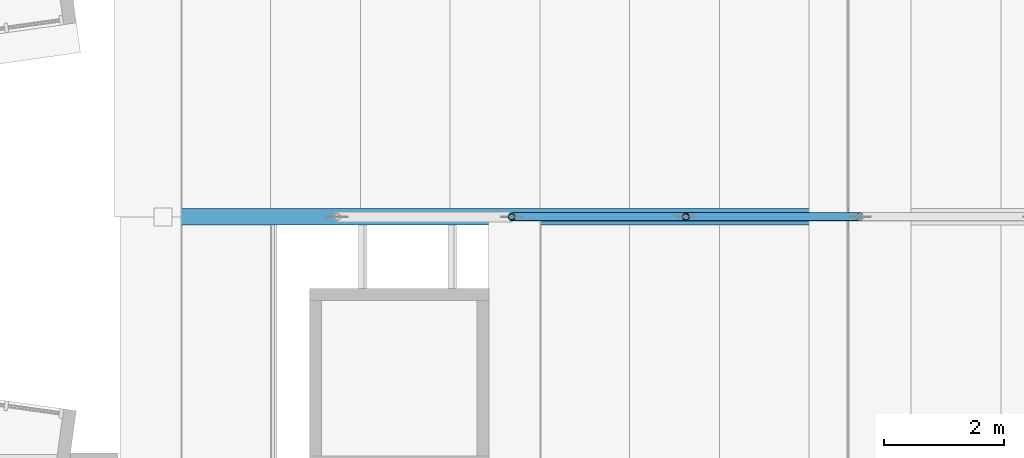
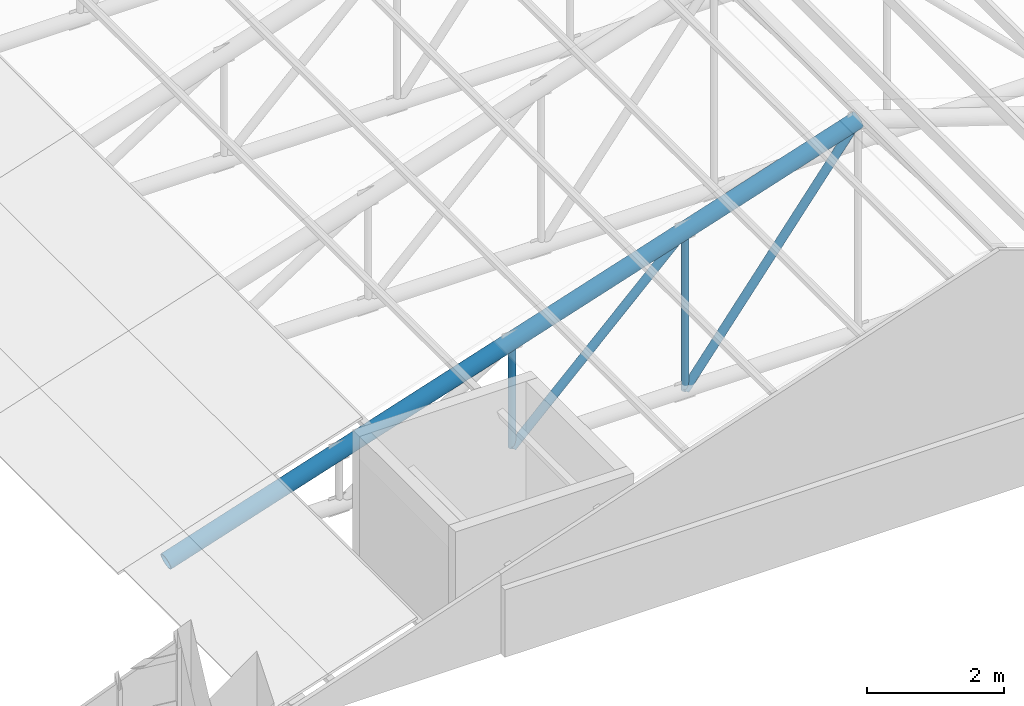
# One storey, part 8 of 95: 5 members.
"""IFC4 building model written with IfcOpenShell, lengths in metres."""

from ifc_helpers import new_model, si_unit, direction, frame, origin, origin_2d, place, context, subcontext, project, spatial, hollow_circle, extrude, material, material_profile, profile_set, type_object, element, save


model = new_model("IFC4")

# Units and contexts
model_context = context("Model", 3, precision=1e-05, world=origin(), true_north=direction((0.0, 1.0)))
body_context = subcontext(model_context, "Body", "Model", "MODEL_VIEW")
ifc_project = project(units=[si_unit("LENGTHUNIT", "METRE"), si_unit("AREAUNIT", "SQUARE_METRE"), si_unit("VOLUMEUNIT", "CUBIC_METRE"), si_unit("PLANEANGLEUNIT", "RADIAN"), si_unit("MASSUNIT", "GRAM", prefix="KILO")], contexts=[model_context])

# Site, building, storey
site_placement = place(None, origin())
site = spatial("IfcSite", under=ifc_project, at=site_placement, CompositionType="ELEMENT")
building_placement = place(site_placement, origin())
building = spatial("IfcBuilding", under=site, at=building_placement, Name="Kiln Court Media Centre", CompositionType="ELEMENT")
storey_placement = place(building_placement, frame((0.0, 0.0, 24.60009765625)))
storey = spatial("IfcBuildingStorey", under=building, at=storey_placement, Name="L05", CompositionType="ELEMENT", Elevation=24.60009765625)

# Members
ifc_material_1 = material(Name="Steel ASTM A500 Gr C", Category="steel")
ifc_material_profile_1 = material_profile(ifc_material_1, hollow_circle(Radius=0.05712890625, WallThickness=0.0048828125, at=origin_2d()), Name="CHS 114.3x5.0")
ifc_profile_set_1 = profile_set([ifc_material_profile_1], Name="Steel ASTM A500 Gr C")
member_type_1 = type_object("IfcMemberType", Name="Steel ASTM A500 Gr C CHS 114.3x5.0 truss web", PredefinedType="BRACE", material=ifc_profile_set_1)
member_1_placement = place(storey_placement, frame((40.574951171875, 29.39990234375, -0.013916015625), z_axis=(0.0, 0.0, 1.0), x_axis=(1.0, 0.0, 0.0)))
element("IfcMember", 1, at=member_1_placement, inside=storey, type_object=member_type_1, Name="foyer truss FT-02 post 2 truss web", PredefinedType="BRACE", context=body_context, shape_type="SweptSolid", body=[
    extrude(hollow_circle(Radius=0.05712890625, WallThickness=0.0048828125, at=origin_2d()), origin(), (0.0, 0.0, 1.0), 1.892822265625),
])
member_2_placement = place(storey_placement, frame((43.487548828125, 29.39990234375, -0.013916015625), z_axis=(0.0, 0.0, 1.0), x_axis=(1.0, 0.0, 0.0)))
element("IfcMember", 2, at=member_2_placement, inside=storey, type_object=member_type_1, Name="foyer truss FT-02 post 3 truss web", PredefinedType="BRACE", context=body_context, shape_type="SweptSolid", body=[
    extrude(hollow_circle(Radius=0.05712890625, WallThickness=0.0048828125, at=origin_2d()), origin(), (0.0, 0.0, 1.0), 2.839111328125),
])
ifc_material_2 = material(Name="Steel ASTM A500 Gr C", Category="steel")
ifc_material_profile_2 = material_profile(ifc_material_2, hollow_circle(Radius=0.06982421875, WallThickness=0.0048828125, at=origin_2d()), Name="CHS 139.7x5.0")
ifc_profile_set_2 = profile_set([ifc_material_profile_2], Name="Steel ASTM A500 Gr C")
member_type_2 = type_object("IfcMemberType", Name="Steel ASTM A500 Gr C CHS 139.7x5.0 truss web", PredefinedType="BRACE", material=ifc_profile_set_2)
member_3_placement = place(storey_placement, frame((40.574951171875, 29.39990234375, -0.013916015625), z_axis=(0.716082640751, 0.0, 0.69801550958), x_axis=(0.0, 1.0, 0.0)))
element("IfcMember", 3, at=member_3_placement, inside=storey, type_object=member_type_2, Name="foyer truss FT-02 diagonal 3 truss web", PredefinedType="BRACE", context=body_context, shape_type="SweptSolid", body=[
    extrude(hollow_circle(Radius=0.06982421875, WallThickness=0.0048828125, at=origin_2d()), origin(), (0.0, 0.0, 1.0), 4.0673828125),
])
member_4_placement = place(storey_placement, frame((43.487548828125, 29.39990234375, -0.013916015625), z_axis=(0.609777458127, 0.0, 0.79257267904), x_axis=(0.0, 1.0, 0.0)))
element("IfcMember", 4, at=member_4_placement, inside=storey, type_object=member_type_2, Name="foyer truss FT-02 diagonal 4 truss web", PredefinedType="BRACE", context=body_context, shape_type="SweptSolid", body=[
    extrude(hollow_circle(Radius=0.06982421875, WallThickness=0.0048828125, at=origin_2d()), origin(), (0.0, 0.0, 1.0), 4.776123046875),
])
ifc_material_3 = material(Name="Steel ASTM A500 Gr C", Category="steel")
ifc_material_profile_3 = material_profile(ifc_material_3, hollow_circle(Radius=0.136474609375, WallThickness=0.010009765625, at=origin_2d()), Name="CHS 273.0x10.0")
ifc_profile_set_3 = profile_set([ifc_material_profile_3], Name="Steel ASTM A500 Gr C")
member_type_3 = type_object("IfcMemberType", Name="Steel ASTM A500 Gr C CHS 273.0x10.0 truss chord", PredefinedType="CHORD", material=ifc_profile_set_3)
member_5_placement = place(storey_placement, frame((34.75, 29.39990234375, -0.013916015625), z_axis=(0.951053693326, 0.0, 0.309025682447), x_axis=(0.0, 1.0, 0.0)))
element("IfcMember", 5, at=member_5_placement, inside=storey, type_object=member_type_3, Name="foyer truss FT-02 west rafter truss chord", PredefinedType="CHORD", context=body_context, shape_type="SweptSolid", body=[
    extrude(hollow_circle(Radius=0.136474609375, WallThickness=0.010009765625, at=origin_2d()), origin(), (0.0, 0.0, 1.0), 12.24951171875),
])

save(model, "model.ifc")
